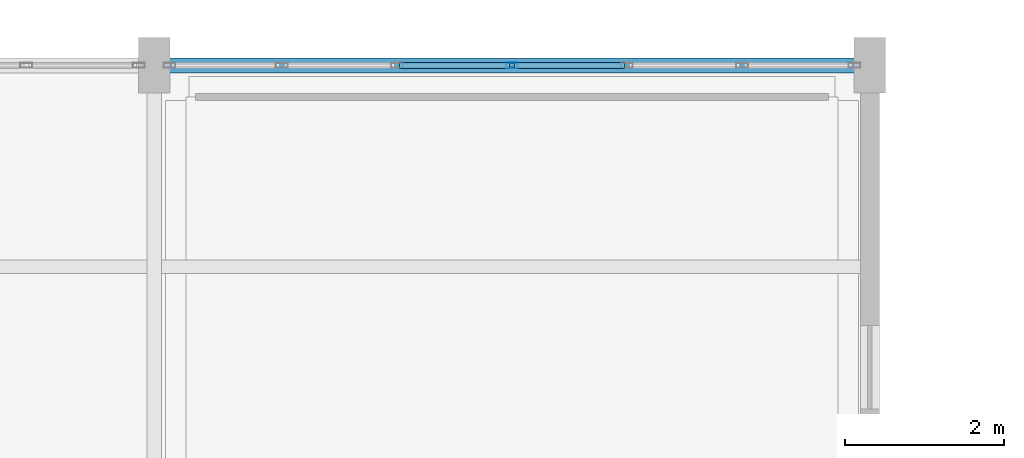
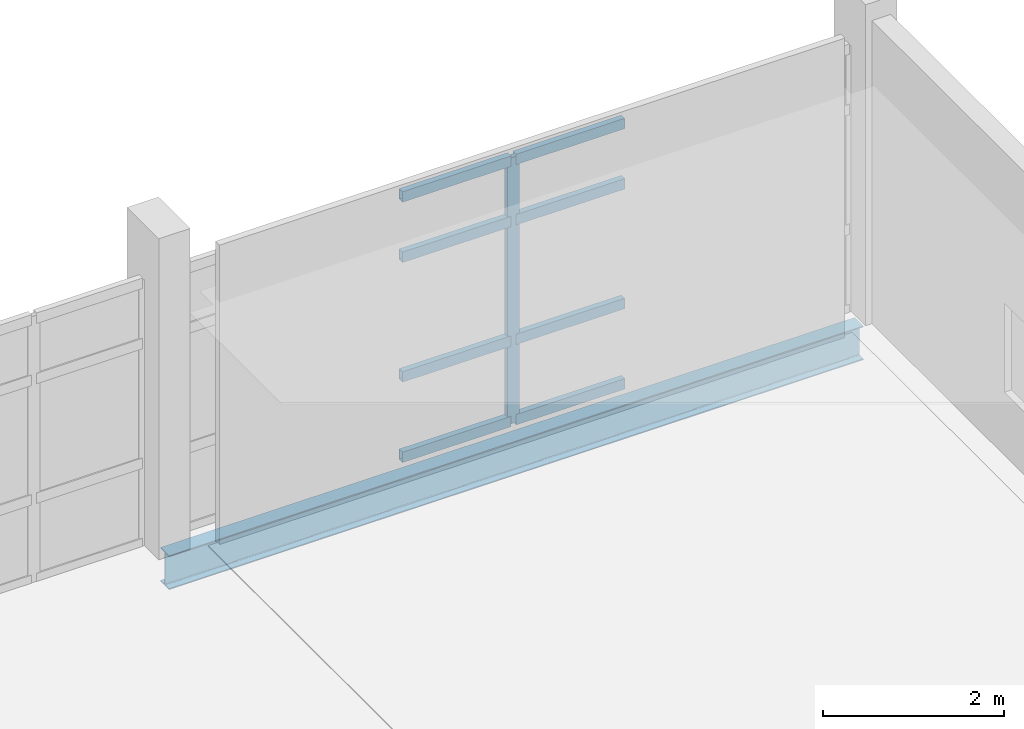
# One storey, part 102 of 174: 9 members, 1 beam, 1 element without a shape of its own.
"""IFC4 building model written with IfcOpenShell, lengths in metres."""

from ifc_helpers import new_model, si_unit, direction, frame, origin, origin_2d, place, context, subcontext, project, spatial, hollow_rectangle, i_section, extrude, material, material_profile, profile_set, type_object, element, aggregate, save


model = new_model("IFC4")

# Units and contexts
model_context = context("Model", 3, precision=1e-05, world=origin(), true_north=direction((0.0, 1.0)))
body_context = subcontext(model_context, "Body", "Model", "MODEL_VIEW")
ifc_project = project(units=[si_unit("LENGTHUNIT", "METRE"), si_unit("AREAUNIT", "SQUARE_METRE"), si_unit("VOLUMEUNIT", "CUBIC_METRE"), si_unit("PLANEANGLEUNIT", "RADIAN"), si_unit("MASSUNIT", "GRAM", prefix="KILO")], contexts=[model_context])

# Site, building, storey
site_placement = place(None, origin())
site = spatial("IfcSite", under=ifc_project, at=site_placement, CompositionType="ELEMENT")
building_placement = place(site_placement, origin())
building = spatial("IfcBuilding", under=site, at=building_placement, Name="Caisbarro Railhouse Central Library", CompositionType="ELEMENT")
storey_placement = place(building_placement, frame((0.0, 0.0, 5.0400390625)))
storey = spatial("IfcBuildingStorey", under=building, at=storey_placement, Name="L01", CompositionType="ELEMENT", Elevation=5.0400390625)

# Beam
ifc_material_1 = material(Name="Steel ASTM A572 Grade 50", Category="steel")
ifc_material_profile_1 = material_profile(ifc_material_1, i_section(OverallWidth=0.18994140625, OverallDepth=0.45703125, WebThickness=0.009033203125, FlangeThickness=0.014404296875, FilletRadius=0.01806640625, at=origin_2d()), Name="W460X74.0")
ifc_profile_set_1 = profile_set([ifc_material_profile_1], Name="Steel ASTM A572 Grade 50")
beam_type = type_object("IfcBeamType", Name="BM-SP01", PredefinedType="SPANDREL", material=ifc_profile_set_1)
beam_placement = place(storey_placement, frame((90.080078125, 114.0, -0.428466796875), z_axis=(1.0, 0.0, 0.0), x_axis=(0.0, 1.0, 0.0)))
element("IfcBeam", 1, at=beam_placement, inside=storey, type_object=beam_type, Name="SP01 beam L01 #1183", PredefinedType="SPANDREL", context=body_context, shape_type="SweptSolid", body=[
    extrude(i_section(OverallWidth=0.18994140625, OverallDepth=0.45703125, WebThickness=0.009033203125, FlangeThickness=0.014404296875, FilletRadius=0.01806640625, at=origin_2d()), origin(), (0.0, 0.0, 1.0), 8.83984375),
])

# Curtain wall, members
ifc_material_2 = material(Name="Anodised architectural aluminium", Category="aluminium")
curtain_wall_type = type_object("IfcCurtainWallType", Name="CW-CW03", PredefinedType="NOTDEFINED", material=ifc_material_2)
curtain_wall_placement = place(storey_placement, origin())
curtain_wall = element("IfcCurtainWall", 2, at=curtain_wall_placement, inside=storey, type_object=curtain_wall_type, Name="CW03 curtain wall L01 #179", PredefinedType="NOTDEFINED")
ifc_material_profile_2 = material_profile(ifc_material_2, hollow_rectangle(XDim=0.06494140625, YDim=0.14990234375, WallThickness=0.00390625, at=origin_2d()), Name="ALU-MUL-65X150")
ifc_profile_set_2 = profile_set([ifc_material_profile_2], Name="Anodised architectural aluminium")
member_type_1 = type_object("IfcMemberType", Name="CWM-M02", PredefinedType="MULLION", material=ifc_profile_set_2)
member_1_placement = place(storey_placement, frame((94.5, 114.0, 0.0), z_axis=(0.0, 0.0, 1.0), x_axis=(0.0, 1.0, 0.0)))
member_1 = element("IfcMember", 3, at=member_1_placement, type_object=member_type_1, Name="CW03 mullion 4", PredefinedType="MULLION", context=body_context, shape_type="SweptSolid", body=[
    extrude(hollow_rectangle(XDim=0.06494140625, YDim=0.14990234375, WallThickness=0.00390625, at=origin_2d()), origin(), (0.0, 0.0, 1.0), 3.580078125),
])
ifc_material_profile_3 = material_profile(ifc_material_2, hollow_rectangle(XDim=0.074951171875, YDim=0.139892578125, WallThickness=0.00390625, at=origin_2d()), Name="ALU-TRN-75X140")
ifc_profile_set_3 = profile_set([ifc_material_profile_3], Name="Anodised architectural aluminium")
member_type_2 = type_object("IfcMemberType", Name="CWT-T01", PredefinedType="USERDEFINED", material=ifc_profile_set_3)
member_2_placement = place(storey_placement, frame((93.0859375, 114.0, 0.037353515625), z_axis=(1.0, 0.0, 0.0), x_axis=(0.0, 1.0, 0.0)))
member_2 = element("IfcMember", 4, at=member_2_placement, type_object=member_type_2, Name="CW03 transom 3.1", ObjectType="TRANSOM", PredefinedType="USERDEFINED", context=body_context, shape_type="SweptSolid", body=[
    extrude(hollow_rectangle(XDim=0.074951171875, YDim=0.139892578125, WallThickness=0.00390625, at=origin_2d()), origin(), (0.0, 0.0, 1.0), 1.381591796875),
])
member_3_placement = place(storey_placement, frame((93.0859375, 114.0, 1.119873046875), z_axis=(1.0, 0.0, 0.0), x_axis=(0.0, 1.0, 0.0)))
member_3 = element("IfcMember", 5, at=member_3_placement, type_object=member_type_2, Name="CW03 transom 3.2", ObjectType="TRANSOM", PredefinedType="USERDEFINED", context=body_context, shape_type="SweptSolid", body=[
    extrude(hollow_rectangle(XDim=0.074951171875, YDim=0.139892578125, WallThickness=0.00390625, at=origin_2d()), origin(), (0.0, 0.0, 1.0), 1.381591796875),
])
member_4_placement = place(storey_placement, frame((93.0859375, 114.0, 2.72998046875), z_axis=(1.0, 0.0, 0.0), x_axis=(0.0, 1.0, 0.0)))
member_4 = element("IfcMember", 6, at=member_4_placement, type_object=member_type_2, Name="CW03 transom 3.3", ObjectType="TRANSOM", PredefinedType="USERDEFINED", context=body_context, shape_type="SweptSolid", body=[
    extrude(hollow_rectangle(XDim=0.074951171875, YDim=0.139892578125, WallThickness=0.00390625, at=origin_2d()), origin(), (0.0, 0.0, 1.0), 1.381591796875),
])
member_5_placement = place(storey_placement, frame((93.0859375, 114.0, 3.54248046875), z_axis=(1.0, 0.0, 0.0), x_axis=(0.0, 1.0, 0.0)))
member_5 = element("IfcMember", 7, at=member_5_placement, type_object=member_type_2, Name="CW03 transom 3.4", ObjectType="TRANSOM", PredefinedType="USERDEFINED", context=body_context, shape_type="SweptSolid", body=[
    extrude(hollow_rectangle(XDim=0.074951171875, YDim=0.139892578125, WallThickness=0.00390625, at=origin_2d()), origin(), (0.0, 0.0, 1.0), 1.381591796875),
])
member_6_placement = place(storey_placement, frame((94.532470703125, 114.0, 0.037353515625), z_axis=(1.0, 0.0, 0.0), x_axis=(0.0, 1.0, 0.0)))
member_6 = element("IfcMember", 8, at=member_6_placement, type_object=member_type_2, Name="CW03 transom 4.1", ObjectType="TRANSOM", PredefinedType="USERDEFINED", context=body_context, shape_type="SweptSolid", body=[
    extrude(hollow_rectangle(XDim=0.074951171875, YDim=0.139892578125, WallThickness=0.00390625, at=origin_2d()), origin(), (0.0, 0.0, 1.0), 1.381591796875),
])
member_7_placement = place(storey_placement, frame((94.532470703125, 114.0, 1.119873046875), z_axis=(1.0, 0.0, 0.0), x_axis=(0.0, 1.0, 0.0)))
member_7 = element("IfcMember", 9, at=member_7_placement, type_object=member_type_2, Name="CW03 transom 4.2", ObjectType="TRANSOM", PredefinedType="USERDEFINED", context=body_context, shape_type="SweptSolid", body=[
    extrude(hollow_rectangle(XDim=0.074951171875, YDim=0.139892578125, WallThickness=0.00390625, at=origin_2d()), origin(), (0.0, 0.0, 1.0), 1.381591796875),
])
member_8_placement = place(storey_placement, frame((94.532470703125, 114.0, 2.72998046875), z_axis=(1.0, 0.0, 0.0), x_axis=(0.0, 1.0, 0.0)))
member_8 = element("IfcMember", 10, at=member_8_placement, type_object=member_type_2, Name="CW03 transom 4.3", ObjectType="TRANSOM", PredefinedType="USERDEFINED", context=body_context, shape_type="SweptSolid", body=[
    extrude(hollow_rectangle(XDim=0.074951171875, YDim=0.139892578125, WallThickness=0.00390625, at=origin_2d()), origin(), (0.0, 0.0, 1.0), 1.381591796875),
])
member_9_placement = place(storey_placement, frame((94.532470703125, 114.0, 3.54248046875), z_axis=(1.0, 0.0, 0.0), x_axis=(0.0, 1.0, 0.0)))
member_9 = element("IfcMember", 11, at=member_9_placement, type_object=member_type_2, Name="CW03 transom 4.4", ObjectType="TRANSOM", PredefinedType="USERDEFINED", context=body_context, shape_type="SweptSolid", body=[
    extrude(hollow_rectangle(XDim=0.074951171875, YDim=0.139892578125, WallThickness=0.00390625, at=origin_2d()), origin(), (0.0, 0.0, 1.0), 1.381591796875),
])
aggregate(curtain_wall, [member_1, member_2, member_3, member_4, member_5, member_6, member_7, member_8, member_9])

save(model, "model.ifc")
